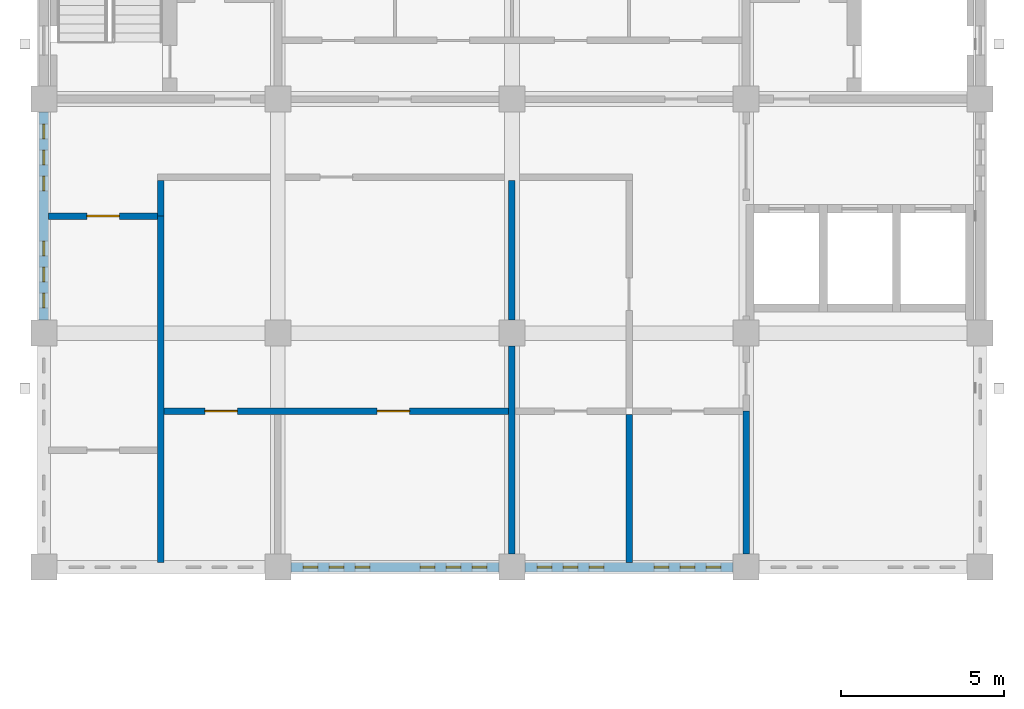
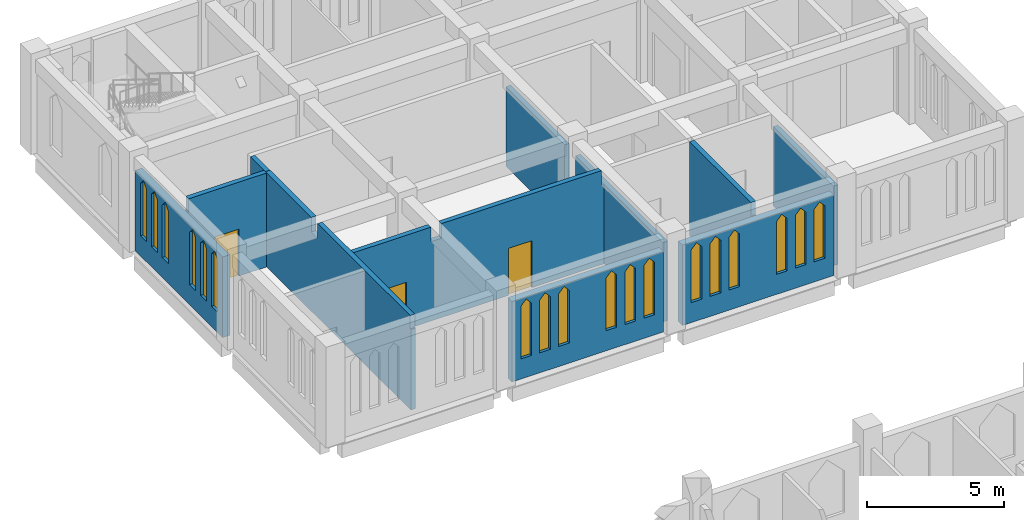
# One storey, part 6 of 13: 18 windows, 11 walls, 3 doors, 21 openings.
"""IFC4 building model written with IfcOpenShell, lengths in metres."""

from ifc_helpers import new_model, si_unit, direction, frame, frame_2d, origin, place, context, subcontext, project, spatial, polyline, rectangle, outline, extrude, material, layer, layer_set, type_object, element, fill, save


model = new_model("IFC4")

# Units and contexts
model_context = context("Model", 3, precision=1e-05, world=origin(), true_north=direction((0.0, 1.0)))
body_context = subcontext(model_context, "Body", "Model", "MODEL_VIEW")
ifc_project = project(units=[si_unit("LENGTHUNIT", "METRE"), si_unit("AREAUNIT", "SQUARE_METRE"), si_unit("VOLUMEUNIT", "CUBIC_METRE"), si_unit("PLANEANGLEUNIT", "RADIAN"), si_unit("MASSUNIT", "GRAM", prefix="KILO")], contexts=[model_context])

# Site, building, storey
site_placement = place(None, origin())
site = spatial("IfcSite", under=ifc_project, at=site_placement, CompositionType="ELEMENT")
building_placement = place(site_placement, origin())
building = spatial("IfcBuilding", under=site, at=building_placement, Name="Silangan Lancet Faculty of Sciences", CompositionType="ELEMENT")
storey_placement = place(building_placement, frame((0.0, 0.0, 49.800048828125)))
storey = spatial("IfcBuildingStorey", under=building, at=storey_placement, Name="L10", CompositionType="ELEMENT", Elevation=49.800048828125)

# Wall, openings, windows
ifc_material_1 = material(Name="Concrete C40/50", Category="concrete")
ifc_layer_1 = layer(ifc_material_1, 0.300048828125)
ifc_layer_set_1 = layer_set([ifc_layer_1], Name="Concrete C40/50")
wall_type_1 = type_object("IfcWallType", Name="EW7 Rendered attic wall", PredefinedType="STANDARD", material=ifc_layer_set_1)
wall_1_placement = place(storey_placement, frame((0.0, 43.60009765625, 0.0), z_axis=(0.0, 0.0, 1.0), x_axis=(0.0, 1.0, 0.0)))
wall_1 = element("IfcWall", 1, at=wall_1_placement, inside=storey, type_object=wall_type_1, Name="EW-L10-W-NT-01", PredefinedType="STANDARD", context=body_context, shape_type="SweptSolid", body=[
    extrude(rectangle(XDim=6.39990234375, YDim=0.300048828125, at=frame_2d((3.199951171875, 0.0))), origin(), (0.0, 0.0, 1.0), 3.599853515625),
])
opening_1_placement = place(wall_1_placement, frame((0.375, 0.0, 0.89990234375)))
opening_1 = element("IfcOpeningElement", 2, at=opening_1_placement, cuts=wall_1, Name="Opening W24", PredefinedType="OPENING", context=body_context, shape_type="SweptSolid", body=[
    extrude(outline(polyline([(0.0, 0.0), (0.449951171875, 0.0), (0.449951171875, 2.35009765625), (0.22509765625, 2.60009765625), (0.0, 2.35009765625), (0.0, 0.0)])), frame((0.0, 0.159912109375, 0.0), z_axis=(0.0, -1.0, 0.0), x_axis=(1.0, 0.0, 0.0)), (0.0, 0.0, 1.0), 0.320068359375),
])
opening_2_placement = place(wall_1_placement, frame((1.175048828125, 0.0, 0.89990234375)))
opening_2 = element("IfcOpeningElement", 3, at=opening_2_placement, cuts=wall_1, Name="Opening W24", PredefinedType="OPENING", context=body_context, shape_type="SweptSolid", body=[
    extrude(outline(polyline([(0.0, 0.0), (0.449951171875, 0.0), (0.449951171875, 2.35009765625), (0.22509765625, 2.60009765625), (0.0, 2.35009765625), (0.0, 0.0)])), frame((0.0, 0.159912109375, 0.0), z_axis=(0.0, -1.0, 0.0), x_axis=(1.0, 0.0, 0.0)), (0.0, 0.0, 1.0), 0.320068359375),
])
opening_3_placement = place(wall_1_placement, frame((1.97509765625, 0.0, 0.89990234375)))
opening_3 = element("IfcOpeningElement", 4, at=opening_3_placement, cuts=wall_1, Name="Opening W24", PredefinedType="OPENING", context=body_context, shape_type="SweptSolid", body=[
    extrude(outline(polyline([(0.0, 0.0), (0.449951171875, 0.0), (0.449951171875, 2.35009765625), (0.22509765625, 2.60009765625), (0.0, 2.35009765625), (0.0, 0.0)])), frame((0.0, 0.159912109375, 0.0), z_axis=(0.0, -1.0, 0.0), x_axis=(1.0, 0.0, 0.0)), (0.0, 0.0, 1.0), 0.320068359375),
])
opening_4_placement = place(wall_1_placement, frame((3.97509765625, 0.0, 0.89990234375)))
opening_4 = element("IfcOpeningElement", 5, at=opening_4_placement, cuts=wall_1, Name="Opening W24", PredefinedType="OPENING", context=body_context, shape_type="SweptSolid", body=[
    extrude(outline(polyline([(0.0, 0.0), (0.449951171875, 0.0), (0.449951171875, 2.35009765625), (0.22509765625, 2.60009765625), (0.0, 2.35009765625), (0.0, 0.0)])), frame((0.0, 0.159912109375, 0.0), z_axis=(0.0, -1.0, 0.0), x_axis=(1.0, 0.0, 0.0)), (0.0, 0.0, 1.0), 0.320068359375),
])
opening_5_placement = place(wall_1_placement, frame((4.77490234375, 0.0, 0.89990234375)))
opening_5 = element("IfcOpeningElement", 6, at=opening_5_placement, cuts=wall_1, Name="Opening W24", PredefinedType="OPENING", context=body_context, shape_type="SweptSolid", body=[
    extrude(outline(polyline([(0.0, 0.0), (0.449951171875, 0.0), (0.449951171875, 2.35009765625), (0.22509765625, 2.60009765625), (0.0, 2.35009765625), (0.0, 0.0)])), frame((0.0, 0.159912109375, 0.0), z_axis=(0.0, -1.0, 0.0), x_axis=(1.0, 0.0, 0.0)), (0.0, 0.0, 1.0), 0.320068359375),
])
opening_6_placement = place(wall_1_placement, frame((5.574951171875, 0.0, 0.89990234375)))
opening_6 = element("IfcOpeningElement", 7, at=opening_6_placement, cuts=wall_1, Name="Opening W24", PredefinedType="OPENING", context=body_context, shape_type="SweptSolid", body=[
    extrude(outline(polyline([(0.0, 0.0), (0.449951171875, 0.0), (0.449951171875, 2.35009765625), (0.22509765625, 2.60009765625), (0.0, 2.35009765625), (0.0, 0.0)])), frame((0.0, 0.159912109375, 0.0), z_axis=(0.0, -1.0, 0.0), x_axis=(1.0, 0.0, 0.0)), (0.0, 0.0, 1.0), 0.320068359375),
])
ifc_material_2 = material(Name="Aluminium frame, laminated double glazing", Category="aluminium")
window_type = type_object("IfcWindowType", Name="W24 Lancet window 450 x 2600", PartitioningType="SINGLE_PANEL", PredefinedType="WINDOW", material=ifc_material_2)
window_1_placement = place(opening_1_placement, origin())
window_1 = element("IfcWindow", 8, at=window_1_placement, inside=storey, type_object=window_type, Name="WIN-L10-W-NT-01a1", OverallHeight=2.60009765625, OverallWidth=0.449951171875, PartitioningType="SINGLE_PANEL", PredefinedType="WINDOW", context=body_context, shape_type="SweptSolid", body=[
    extrude(outline(polyline([(0.0, 0.0), (0.449951171875, 0.0), (0.449951171875, 2.35009765625), (0.22509765625, 2.60009765625), (0.0, 2.35009765625), (0.0, 0.0)])), frame((0.0, 0.030029296875, 0.0), z_axis=(0.0, -1.0, 0.0), x_axis=(1.0, 0.0, 0.0)), (0.0, 0.0, 1.0), 0.06005859375),
])
fill(opening_1, window_1)
window_2_placement = place(opening_2_placement, origin())
window_2 = element("IfcWindow", 9, at=window_2_placement, inside=storey, type_object=window_type, Name="WIN-L10-W-NT-01a2", OverallHeight=2.60009765625, OverallWidth=0.449951171875, PartitioningType="SINGLE_PANEL", PredefinedType="WINDOW", context=body_context, shape_type="SweptSolid", body=[
    extrude(outline(polyline([(0.0, 0.0), (0.449951171875, 0.0), (0.449951171875, 2.35009765625), (0.22509765625, 2.60009765625), (0.0, 2.35009765625), (0.0, 0.0)])), frame((0.0, 0.030029296875, 0.0), z_axis=(0.0, -1.0, 0.0), x_axis=(1.0, 0.0, 0.0)), (0.0, 0.0, 1.0), 0.06005859375),
])
fill(opening_2, window_2)
window_3_placement = place(opening_3_placement, origin())
window_3 = element("IfcWindow", 10, at=window_3_placement, inside=storey, type_object=window_type, Name="WIN-L10-W-NT-01a3", OverallHeight=2.60009765625, OverallWidth=0.449951171875, PartitioningType="SINGLE_PANEL", PredefinedType="WINDOW", context=body_context, shape_type="SweptSolid", body=[
    extrude(outline(polyline([(0.0, 0.0), (0.449951171875, 0.0), (0.449951171875, 2.35009765625), (0.22509765625, 2.60009765625), (0.0, 2.35009765625), (0.0, 0.0)])), frame((0.0, 0.030029296875, 0.0), z_axis=(0.0, -1.0, 0.0), x_axis=(1.0, 0.0, 0.0)), (0.0, 0.0, 1.0), 0.06005859375),
])
fill(opening_3, window_3)
window_4_placement = place(opening_4_placement, origin())
window_4 = element("IfcWindow", 11, at=window_4_placement, inside=storey, type_object=window_type, Name="WIN-L10-W-NT-01b1", OverallHeight=2.60009765625, OverallWidth=0.449951171875, PartitioningType="SINGLE_PANEL", PredefinedType="WINDOW", context=body_context, shape_type="SweptSolid", body=[
    extrude(outline(polyline([(0.0, 0.0), (0.449951171875, 0.0), (0.449951171875, 2.35009765625), (0.22509765625, 2.60009765625), (0.0, 2.35009765625), (0.0, 0.0)])), frame((0.0, 0.030029296875, 0.0), z_axis=(0.0, -1.0, 0.0), x_axis=(1.0, 0.0, 0.0)), (0.0, 0.0, 1.0), 0.06005859375),
])
fill(opening_4, window_4)
window_5_placement = place(opening_5_placement, origin())
window_5 = element("IfcWindow", 12, at=window_5_placement, inside=storey, type_object=window_type, Name="WIN-L10-W-NT-01b2", OverallHeight=2.60009765625, OverallWidth=0.449951171875, PartitioningType="SINGLE_PANEL", PredefinedType="WINDOW", context=body_context, shape_type="SweptSolid", body=[
    extrude(outline(polyline([(0.0, 0.0), (0.449951171875, 0.0), (0.449951171875, 2.35009765625), (0.22509765625, 2.60009765625), (0.0, 2.35009765625), (0.0, 0.0)])), frame((0.0, 0.030029296875, 0.0), z_axis=(0.0, -1.0, 0.0), x_axis=(1.0, 0.0, 0.0)), (0.0, 0.0, 1.0), 0.06005859375),
])
fill(opening_5, window_5)
window_6_placement = place(opening_6_placement, origin())
window_6 = element("IfcWindow", 13, at=window_6_placement, inside=storey, type_object=window_type, Name="WIN-L10-W-NT-01b3", OverallHeight=2.60009765625, OverallWidth=0.449951171875, PartitioningType="SINGLE_PANEL", PredefinedType="WINDOW", context=body_context, shape_type="SweptSolid", body=[
    extrude(outline(polyline([(0.0, 0.0), (0.449951171875, 0.0), (0.449951171875, 2.35009765625), (0.22509765625, 2.60009765625), (0.0, 2.35009765625), (0.0, 0.0)])), frame((0.0, 0.030029296875, 0.0), z_axis=(0.0, -1.0, 0.0), x_axis=(1.0, 0.0, 0.0)), (0.0, 0.0, 1.0), 0.06005859375),
])
fill(opening_6, window_6)

wall_2_placement = place(storey_placement, frame((7.60009765625, 36.0, 0.0), z_axis=(0.0, 0.0, 1.0), x_axis=(1.0, 0.0, 0.0)))
wall_2 = element("IfcWall", 14, at=wall_2_placement, inside=storey, type_object=wall_type_1, Name="EW-L10-S-NT-01", PredefinedType="STANDARD", context=body_context, shape_type="SweptSolid", body=[
    extrude(rectangle(XDim=6.39990234375, YDim=0.300048828125, at=frame_2d((3.199951171875, 0.0))), origin(), (0.0, 0.0, 1.0), 3.599853515625),
])
opening_7_placement = place(wall_2_placement, frame((0.375, 0.0, 0.89990234375)))
opening_7 = element("IfcOpeningElement", 15, at=opening_7_placement, cuts=wall_2, Name="Opening W24", PredefinedType="OPENING", context=body_context, shape_type="SweptSolid", body=[
    extrude(outline(polyline([(0.0, 0.0), (0.449951171875, 0.0), (0.449951171875, 2.35009765625), (0.22509765625, 2.60009765625), (0.0, 2.35009765625), (0.0, 0.0)])), frame((0.0, 0.159912109375, 0.0), z_axis=(0.0, -1.0, 0.0), x_axis=(1.0, 0.0, 0.0)), (0.0, 0.0, 1.0), 0.320068359375),
])
opening_8_placement = place(wall_2_placement, frame((1.175048828125, 0.0, 0.89990234375)))
opening_8 = element("IfcOpeningElement", 16, at=opening_8_placement, cuts=wall_2, Name="Opening W24", PredefinedType="OPENING", context=body_context, shape_type="SweptSolid", body=[
    extrude(outline(polyline([(0.0, 0.0), (0.449951171875, 0.0), (0.449951171875, 2.35009765625), (0.22509765625, 2.60009765625), (0.0, 2.35009765625), (0.0, 0.0)])), frame((0.0, 0.159912109375, 0.0), z_axis=(0.0, -1.0, 0.0), x_axis=(1.0, 0.0, 0.0)), (0.0, 0.0, 1.0), 0.320068359375),
])
opening_9_placement = place(wall_2_placement, frame((1.97509765625, 0.0, 0.89990234375)))
opening_9 = element("IfcOpeningElement", 17, at=opening_9_placement, cuts=wall_2, Name="Opening W24", PredefinedType="OPENING", context=body_context, shape_type="SweptSolid", body=[
    extrude(outline(polyline([(0.0, 0.0), (0.449951171875, 0.0), (0.449951171875, 2.35009765625), (0.22509765625, 2.60009765625), (0.0, 2.35009765625), (0.0, 0.0)])), frame((0.0, 0.159912109375, 0.0), z_axis=(0.0, -1.0, 0.0), x_axis=(1.0, 0.0, 0.0)), (0.0, 0.0, 1.0), 0.320068359375),
])
opening_10_placement = place(wall_2_placement, frame((3.97509765625, 0.0, 0.89990234375)))
opening_10 = element("IfcOpeningElement", 18, at=opening_10_placement, cuts=wall_2, Name="Opening W24", PredefinedType="OPENING", context=body_context, shape_type="SweptSolid", body=[
    extrude(outline(polyline([(0.0, 0.0), (0.449951171875, 0.0), (0.449951171875, 2.35009765625), (0.22509765625, 2.60009765625), (0.0, 2.35009765625), (0.0, 0.0)])), frame((0.0, 0.159912109375, 0.0), z_axis=(0.0, -1.0, 0.0), x_axis=(1.0, 0.0, 0.0)), (0.0, 0.0, 1.0), 0.320068359375),
])
opening_11_placement = place(wall_2_placement, frame((4.77490234375, 0.0, 0.89990234375)))
opening_11 = element("IfcOpeningElement", 19, at=opening_11_placement, cuts=wall_2, Name="Opening W24", PredefinedType="OPENING", context=body_context, shape_type="SweptSolid", body=[
    extrude(outline(polyline([(0.0, 0.0), (0.449951171875, 0.0), (0.449951171875, 2.35009765625), (0.22509765625, 2.60009765625), (0.0, 2.35009765625), (0.0, 0.0)])), frame((0.0, 0.159912109375, 0.0), z_axis=(0.0, -1.0, 0.0), x_axis=(1.0, 0.0, 0.0)), (0.0, 0.0, 1.0), 0.320068359375),
])
opening_12_placement = place(wall_2_placement, frame((5.574951171875, 0.0, 0.89990234375)))
opening_12 = element("IfcOpeningElement", 20, at=opening_12_placement, cuts=wall_2, Name="Opening W24", PredefinedType="OPENING", context=body_context, shape_type="SweptSolid", body=[
    extrude(outline(polyline([(0.0, 0.0), (0.449951171875, 0.0), (0.449951171875, 2.35009765625), (0.22509765625, 2.60009765625), (0.0, 2.35009765625), (0.0, 0.0)])), frame((0.0, 0.159912109375, 0.0), z_axis=(0.0, -1.0, 0.0), x_axis=(1.0, 0.0, 0.0)), (0.0, 0.0, 1.0), 0.320068359375),
])
window_7_placement = place(opening_7_placement, origin())
window_7 = element("IfcWindow", 21, at=window_7_placement, inside=storey, type_object=window_type, Name="WIN-L10-S-NT-01a1", OverallHeight=2.60009765625, OverallWidth=0.449951171875, PartitioningType="SINGLE_PANEL", PredefinedType="WINDOW", context=body_context, shape_type="SweptSolid", body=[
    extrude(outline(polyline([(0.0, 0.0), (0.449951171875, 0.0), (0.449951171875, 2.35009765625), (0.22509765625, 2.60009765625), (0.0, 2.35009765625), (0.0, 0.0)])), frame((0.0, 0.030029296875, 0.0), z_axis=(0.0, -1.0, 0.0), x_axis=(1.0, 0.0, 0.0)), (0.0, 0.0, 1.0), 0.06005859375),
])
fill(opening_7, window_7)
window_8_placement = place(opening_8_placement, origin())
window_8 = element("IfcWindow", 22, at=window_8_placement, inside=storey, type_object=window_type, Name="WIN-L10-S-NT-01a2", OverallHeight=2.60009765625, OverallWidth=0.449951171875, PartitioningType="SINGLE_PANEL", PredefinedType="WINDOW", context=body_context, shape_type="SweptSolid", body=[
    extrude(outline(polyline([(0.0, 0.0), (0.449951171875, 0.0), (0.449951171875, 2.35009765625), (0.22509765625, 2.60009765625), (0.0, 2.35009765625), (0.0, 0.0)])), frame((0.0, 0.030029296875, 0.0), z_axis=(0.0, -1.0, 0.0), x_axis=(1.0, 0.0, 0.0)), (0.0, 0.0, 1.0), 0.06005859375),
])
fill(opening_8, window_8)
window_9_placement = place(opening_9_placement, origin())
window_9 = element("IfcWindow", 23, at=window_9_placement, inside=storey, type_object=window_type, Name="WIN-L10-S-NT-01a3", OverallHeight=2.60009765625, OverallWidth=0.449951171875, PartitioningType="SINGLE_PANEL", PredefinedType="WINDOW", context=body_context, shape_type="SweptSolid", body=[
    extrude(outline(polyline([(0.0, 0.0), (0.449951171875, 0.0), (0.449951171875, 2.35009765625), (0.22509765625, 2.60009765625), (0.0, 2.35009765625), (0.0, 0.0)])), frame((0.0, 0.030029296875, 0.0), z_axis=(0.0, -1.0, 0.0), x_axis=(1.0, 0.0, 0.0)), (0.0, 0.0, 1.0), 0.06005859375),
])
fill(opening_9, window_9)
window_10_placement = place(opening_10_placement, origin())
window_10 = element("IfcWindow", 24, at=window_10_placement, inside=storey, type_object=window_type, Name="WIN-L10-S-NT-01b1", OverallHeight=2.60009765625, OverallWidth=0.449951171875, PartitioningType="SINGLE_PANEL", PredefinedType="WINDOW", context=body_context, shape_type="SweptSolid", body=[
    extrude(outline(polyline([(0.0, 0.0), (0.449951171875, 0.0), (0.449951171875, 2.35009765625), (0.22509765625, 2.60009765625), (0.0, 2.35009765625), (0.0, 0.0)])), frame((0.0, 0.030029296875, 0.0), z_axis=(0.0, -1.0, 0.0), x_axis=(1.0, 0.0, 0.0)), (0.0, 0.0, 1.0), 0.06005859375),
])
fill(opening_10, window_10)
window_11_placement = place(opening_11_placement, origin())
window_11 = element("IfcWindow", 25, at=window_11_placement, inside=storey, type_object=window_type, Name="WIN-L10-S-NT-01b2", OverallHeight=2.60009765625, OverallWidth=0.449951171875, PartitioningType="SINGLE_PANEL", PredefinedType="WINDOW", context=body_context, shape_type="SweptSolid", body=[
    extrude(outline(polyline([(0.0, 0.0), (0.449951171875, 0.0), (0.449951171875, 2.35009765625), (0.22509765625, 2.60009765625), (0.0, 2.35009765625), (0.0, 0.0)])), frame((0.0, 0.030029296875, 0.0), z_axis=(0.0, -1.0, 0.0), x_axis=(1.0, 0.0, 0.0)), (0.0, 0.0, 1.0), 0.06005859375),
])
fill(opening_11, window_11)
window_12_placement = place(opening_12_placement, origin())
window_12 = element("IfcWindow", 26, at=window_12_placement, inside=storey, type_object=window_type, Name="WIN-L10-S-NT-01b3", OverallHeight=2.60009765625, OverallWidth=0.449951171875, PartitioningType="SINGLE_PANEL", PredefinedType="WINDOW", context=body_context, shape_type="SweptSolid", body=[
    extrude(outline(polyline([(0.0, 0.0), (0.449951171875, 0.0), (0.449951171875, 2.35009765625), (0.22509765625, 2.60009765625), (0.0, 2.35009765625), (0.0, 0.0)])), frame((0.0, 0.030029296875, 0.0), z_axis=(0.0, -1.0, 0.0), x_axis=(1.0, 0.0, 0.0)), (0.0, 0.0, 1.0), 0.06005859375),
])
fill(opening_12, window_12)

wall_3_placement = place(storey_placement, frame((14.800048828125, 36.0, 0.0), z_axis=(0.0, 0.0, 1.0), x_axis=(1.0, 0.0, 0.0)))
wall_3 = element("IfcWall", 27, at=wall_3_placement, inside=storey, type_object=wall_type_1, Name="EW-L10-S-NT-02", PredefinedType="STANDARD", context=body_context, shape_type="SweptSolid", body=[
    extrude(rectangle(XDim=6.39990234375, YDim=0.300048828125, at=frame_2d((3.199951171875, 0.0))), origin(), (0.0, 0.0, 1.0), 3.599853515625),
])
opening_13_placement = place(wall_3_placement, frame((0.375, 0.0, 0.89990234375)))
opening_13 = element("IfcOpeningElement", 28, at=opening_13_placement, cuts=wall_3, Name="Opening W24", PredefinedType="OPENING", context=body_context, shape_type="SweptSolid", body=[
    extrude(outline(polyline([(0.0, 0.0), (0.449951171875, 0.0), (0.449951171875, 2.35009765625), (0.22509765625, 2.60009765625), (0.0, 2.35009765625), (0.0, 0.0)])), frame((0.0, 0.159912109375, 0.0), z_axis=(0.0, -1.0, 0.0), x_axis=(1.0, 0.0, 0.0)), (0.0, 0.0, 1.0), 0.320068359375),
])
opening_14_placement = place(wall_3_placement, frame((1.175048828125, 0.0, 0.89990234375)))
opening_14 = element("IfcOpeningElement", 29, at=opening_14_placement, cuts=wall_3, Name="Opening W24", PredefinedType="OPENING", context=body_context, shape_type="SweptSolid", body=[
    extrude(outline(polyline([(0.0, 0.0), (0.449951171875, 0.0), (0.449951171875, 2.35009765625), (0.22509765625, 2.60009765625), (0.0, 2.35009765625), (0.0, 0.0)])), frame((0.0, 0.159912109375, 0.0), z_axis=(0.0, -1.0, 0.0), x_axis=(1.0, 0.0, 0.0)), (0.0, 0.0, 1.0), 0.320068359375),
])
opening_15_placement = place(wall_3_placement, frame((1.97509765625, 0.0, 0.89990234375)))
opening_15 = element("IfcOpeningElement", 30, at=opening_15_placement, cuts=wall_3, Name="Opening W24", PredefinedType="OPENING", context=body_context, shape_type="SweptSolid", body=[
    extrude(outline(polyline([(0.0, 0.0), (0.449951171875, 0.0), (0.449951171875, 2.35009765625), (0.22509765625, 2.60009765625), (0.0, 2.35009765625), (0.0, 0.0)])), frame((0.0, 0.159912109375, 0.0), z_axis=(0.0, -1.0, 0.0), x_axis=(1.0, 0.0, 0.0)), (0.0, 0.0, 1.0), 0.320068359375),
])
opening_16_placement = place(wall_3_placement, frame((3.97509765625, 0.0, 0.89990234375)))
opening_16 = element("IfcOpeningElement", 31, at=opening_16_placement, cuts=wall_3, Name="Opening W24", PredefinedType="OPENING", context=body_context, shape_type="SweptSolid", body=[
    extrude(outline(polyline([(0.0, 0.0), (0.449951171875, 0.0), (0.449951171875, 2.35009765625), (0.22509765625, 2.60009765625), (0.0, 2.35009765625), (0.0, 0.0)])), frame((0.0, 0.159912109375, 0.0), z_axis=(0.0, -1.0, 0.0), x_axis=(1.0, 0.0, 0.0)), (0.0, 0.0, 1.0), 0.320068359375),
])
opening_17_placement = place(wall_3_placement, frame((4.77490234375, 0.0, 0.89990234375)))
opening_17 = element("IfcOpeningElement", 32, at=opening_17_placement, cuts=wall_3, Name="Opening W24", PredefinedType="OPENING", context=body_context, shape_type="SweptSolid", body=[
    extrude(outline(polyline([(0.0, 0.0), (0.449951171875, 0.0), (0.449951171875, 2.35009765625), (0.22509765625, 2.60009765625), (0.0, 2.35009765625), (0.0, 0.0)])), frame((0.0, 0.159912109375, 0.0), z_axis=(0.0, -1.0, 0.0), x_axis=(1.0, 0.0, 0.0)), (0.0, 0.0, 1.0), 0.320068359375),
])
opening_18_placement = place(wall_3_placement, frame((5.574951171875, 0.0, 0.89990234375)))
opening_18 = element("IfcOpeningElement", 33, at=opening_18_placement, cuts=wall_3, Name="Opening W24", PredefinedType="OPENING", context=body_context, shape_type="SweptSolid", body=[
    extrude(outline(polyline([(0.0, 0.0), (0.449951171875, 0.0), (0.449951171875, 2.35009765625), (0.22509765625, 2.60009765625), (0.0, 2.35009765625), (0.0, 0.0)])), frame((0.0, 0.159912109375, 0.0), z_axis=(0.0, -1.0, 0.0), x_axis=(1.0, 0.0, 0.0)), (0.0, 0.0, 1.0), 0.320068359375),
])
window_13_placement = place(opening_13_placement, origin())
window_13 = element("IfcWindow", 34, at=window_13_placement, inside=storey, type_object=window_type, Name="WIN-L10-S-NT-02a1", OverallHeight=2.60009765625, OverallWidth=0.449951171875, PartitioningType="SINGLE_PANEL", PredefinedType="WINDOW", context=body_context, shape_type="SweptSolid", body=[
    extrude(outline(polyline([(0.0, 0.0), (0.449951171875, 0.0), (0.449951171875, 2.35009765625), (0.22509765625, 2.60009765625), (0.0, 2.35009765625), (0.0, 0.0)])), frame((0.0, 0.030029296875, 0.0), z_axis=(0.0, -1.0, 0.0), x_axis=(1.0, 0.0, 0.0)), (0.0, 0.0, 1.0), 0.06005859375),
])
fill(opening_13, window_13)
window_14_placement = place(opening_14_placement, origin())
window_14 = element("IfcWindow", 35, at=window_14_placement, inside=storey, type_object=window_type, Name="WIN-L10-S-NT-02a2", OverallHeight=2.60009765625, OverallWidth=0.449951171875, PartitioningType="SINGLE_PANEL", PredefinedType="WINDOW", context=body_context, shape_type="SweptSolid", body=[
    extrude(outline(polyline([(0.0, 0.0), (0.449951171875, 0.0), (0.449951171875, 2.35009765625), (0.22509765625, 2.60009765625), (0.0, 2.35009765625), (0.0, 0.0)])), frame((0.0, 0.030029296875, 0.0), z_axis=(0.0, -1.0, 0.0), x_axis=(1.0, 0.0, 0.0)), (0.0, 0.0, 1.0), 0.06005859375),
])
fill(opening_14, window_14)
window_15_placement = place(opening_15_placement, origin())
window_15 = element("IfcWindow", 36, at=window_15_placement, inside=storey, type_object=window_type, Name="WIN-L10-S-NT-02a3", OverallHeight=2.60009765625, OverallWidth=0.449951171875, PartitioningType="SINGLE_PANEL", PredefinedType="WINDOW", context=body_context, shape_type="SweptSolid", body=[
    extrude(outline(polyline([(0.0, 0.0), (0.449951171875, 0.0), (0.449951171875, 2.35009765625), (0.22509765625, 2.60009765625), (0.0, 2.35009765625), (0.0, 0.0)])), frame((0.0, 0.030029296875, 0.0), z_axis=(0.0, -1.0, 0.0), x_axis=(1.0, 0.0, 0.0)), (0.0, 0.0, 1.0), 0.06005859375),
])
fill(opening_15, window_15)
window_16_placement = place(opening_16_placement, origin())
window_16 = element("IfcWindow", 37, at=window_16_placement, inside=storey, type_object=window_type, Name="WIN-L10-S-NT-02b1", OverallHeight=2.60009765625, OverallWidth=0.449951171875, PartitioningType="SINGLE_PANEL", PredefinedType="WINDOW", context=body_context, shape_type="SweptSolid", body=[
    extrude(outline(polyline([(0.0, 0.0), (0.449951171875, 0.0), (0.449951171875, 2.35009765625), (0.22509765625, 2.60009765625), (0.0, 2.35009765625), (0.0, 0.0)])), frame((0.0, 0.030029296875, 0.0), z_axis=(0.0, -1.0, 0.0), x_axis=(1.0, 0.0, 0.0)), (0.0, 0.0, 1.0), 0.06005859375),
])
fill(opening_16, window_16)
window_17_placement = place(opening_17_placement, origin())
window_17 = element("IfcWindow", 38, at=window_17_placement, inside=storey, type_object=window_type, Name="WIN-L10-S-NT-02b2", OverallHeight=2.60009765625, OverallWidth=0.449951171875, PartitioningType="SINGLE_PANEL", PredefinedType="WINDOW", context=body_context, shape_type="SweptSolid", body=[
    extrude(outline(polyline([(0.0, 0.0), (0.449951171875, 0.0), (0.449951171875, 2.35009765625), (0.22509765625, 2.60009765625), (0.0, 2.35009765625), (0.0, 0.0)])), frame((0.0, 0.030029296875, 0.0), z_axis=(0.0, -1.0, 0.0), x_axis=(1.0, 0.0, 0.0)), (0.0, 0.0, 1.0), 0.06005859375),
])
fill(opening_17, window_17)
window_18_placement = place(opening_18_placement, origin())
window_18 = element("IfcWindow", 39, at=window_18_placement, inside=storey, type_object=window_type, Name="WIN-L10-S-NT-02b3", OverallHeight=2.60009765625, OverallWidth=0.449951171875, PartitioningType="SINGLE_PANEL", PredefinedType="WINDOW", context=body_context, shape_type="SweptSolid", body=[
    extrude(outline(polyline([(0.0, 0.0), (0.449951171875, 0.0), (0.449951171875, 2.35009765625), (0.22509765625, 2.60009765625), (0.0, 2.35009765625), (0.0, 0.0)])), frame((0.0, 0.030029296875, 0.0), z_axis=(0.0, -1.0, 0.0), x_axis=(1.0, 0.0, 0.0)), (0.0, 0.0, 1.0), 0.06005859375),
])
fill(opening_18, window_18)

# Wall, opening, door
ifc_material_3 = material(Name="Hollow block masonry fm 7 MPa", Category="masonry")
ifc_layer_2 = layer(ifc_material_3, 0.199951171875)
ifc_layer_set_2 = layer_set([ifc_layer_2], Name="Hollow block masonry fm 7 MPa")
wall_type_2 = type_object("IfcWallType", Name="Interior wall PW1 Corridor wall CHB 200", PredefinedType="PARTITIONING", material=ifc_layer_set_2)
wall_4_placement = place(storey_placement, frame((0.14990234375, 46.800048828125, 0.0), z_axis=(0.0, 0.0, 1.0), x_axis=(1.0, 0.0, 0.0)))
wall_4 = element("IfcWall", 40, at=wall_4_placement, inside=storey, type_object=wall_type_2, Name="Corridor wall CHB 200", PredefinedType="PARTITIONING", context=body_context, shape_type="SweptSolid", body=[
    extrude(outline(polyline([(0.0, 0.0), (3.35009765625, 0.0), (3.35009765625, 4.199951171875), (0.050048828125, 4.199951171875), (0.050048828125, 3.599853515625), (0.0, 3.599853515625), (0.0, 0.0)])), frame((0.0, 0.10009765625, 0.0), z_axis=(0.0, -1.0, 0.0), x_axis=(1.0, 0.0, 0.0)), (0.0, 0.0, 1.0), 0.199951171875),
])
opening_19_placement = place(wall_4_placement, frame((1.175048828125, 0.0, 0.0)))
opening_19 = element("IfcOpeningElement", 41, at=opening_19_placement, cuts=wall_4, Name="Opening L10-026", PredefinedType="OPENING", context=body_context, shape_type="SweptSolid", body=[
    extrude(rectangle(XDim=1.0, YDim=2.10009765625, at=frame_2d((0.5, 1.050048828125))), frame((0.0, 0.10986328125, 0.0), z_axis=(0.0, -1.0, 0.0), x_axis=(1.0, 0.0, 0.0)), (0.0, 0.0, 1.0), 0.219970703125),
])
ifc_material_4 = material(Name="Steel fire door set", Category="steel")
door_type = type_object("IfcDoorType", Name="Door D1 Single leaf fire door 1000 x 2100", OperationType="SINGLE_SWING_LEFT", PredefinedType="DOOR", material=ifc_material_4)
door_1_placement = place(opening_19_placement, frame((1.0, 0.0, 0.0), z_axis=(0.0, 0.0, 1.0), x_axis=(-1.0, 0.0, 0.0)))
door_1 = element("IfcDoor", 42, at=door_1_placement, inside=storey, type_object=door_type, Name="Single leaf fire door 1000 x 2100", OperationType="SINGLE_SWING_LEFT", OverallHeight=2.10009765625, OverallWidth=1.0, PredefinedType="DOOR", context=body_context, shape_type="SweptSolid", body=[
    extrude(rectangle(XDim=1.0, YDim=2.10009765625, at=frame_2d((0.5, 1.050048828125))), frame((0.0, 0.025146484375, 0.0), z_axis=(0.0, -1.0, 0.0), x_axis=(1.0, 0.0, 0.0)), (0.0, 0.0, 1.0), 0.050048828125),
])
fill(opening_19, door_1)

# Wall
wall_5_placement = place(storey_placement, frame((3.60009765625, 46.800048828125, 0.0), z_axis=(0.0, 0.0, 1.0), x_axis=(0.0, 1.0, 0.0)))
element("IfcWall", 43, at=wall_5_placement, inside=storey, type_object=wall_type_2, Name="Corridor wall CHB 200", PredefinedType="PARTITIONING", context=body_context, shape_type="SweptSolid", body=[
    extrude(rectangle(XDim=1.099853515625, YDim=0.199951171875, at=frame_2d((0.5498046875, 0.0))), origin(), (0.0, 0.0, 1.0), 4.199951171875),
])

# Wall, openings, doors
ifc_material_5 = material(Name="Hollow block masonry fm 7 MPa", Category="masonry")
ifc_layer_3 = layer(ifc_material_5, 0.199951171875)
ifc_layer_set_3 = layer_set([ifc_layer_3], Name="Hollow block masonry fm 7 MPa")
wall_type_3 = type_object("IfcWallType", Name="Interior wall PW4 Laboratory separation CHB 200", PredefinedType="PARTITIONING", material=ifc_layer_set_3)
wall_6_placement = place(storey_placement, frame((3.699951171875, 40.800048828125, 0.0), z_axis=(0.0, 0.0, 1.0), x_axis=(1.0, 0.0, 0.0)))
wall_6 = element("IfcWall", 44, at=wall_6_placement, inside=storey, type_object=wall_type_3, Name="Laboratory separation CHB 200", PredefinedType="PARTITIONING", context=body_context, shape_type="SweptSolid", body=[
    extrude(outline(polyline([(0.0, 0.0), (10.60009765625, 0.0), (10.60009765625, 3.550048828125), (10.47509765625, 3.550048828125), (10.47509765625, 4.199951171875), (3.72509765625, 4.199951171875), (3.72509765625, 3.550048828125), (3.27490234375, 3.550048828125), (3.27490234375, 4.199951171875), (0.0, 4.199951171875), (0.0, 0.0)])), frame((0.0, 0.10009765625, 0.0), z_axis=(0.0, -1.0, 0.0), x_axis=(1.0, 0.0, 0.0)), (0.0, 0.0, 1.0), 0.199951171875),
])
opening_20_placement = place(wall_6_placement, frame((1.25, 0.0, 0.0)))
opening_20 = element("IfcOpeningElement", 45, at=opening_20_placement, cuts=wall_6, Name="Opening L10-029", PredefinedType="OPENING", context=body_context, shape_type="SweptSolid", body=[
    extrude(rectangle(XDim=1.0, YDim=2.10009765625, at=frame_2d((0.5, 1.050048828125))), frame((0.0, 0.10986328125, 0.0), z_axis=(0.0, -1.0, 0.0), x_axis=(1.0, 0.0, 0.0)), (0.0, 0.0, 1.0), 0.219970703125),
])
opening_21_placement = place(wall_6_placement, frame((6.550048828125, 0.0, 0.0)))
opening_21 = element("IfcOpeningElement", 46, at=opening_21_placement, cuts=wall_6, Name="Opening L10-030", PredefinedType="OPENING", context=body_context, shape_type="SweptSolid", body=[
    extrude(rectangle(XDim=1.0, YDim=2.10009765625, at=frame_2d((0.5, 1.050048828125))), frame((0.0, 0.10986328125, 0.0), z_axis=(0.0, -1.0, 0.0), x_axis=(1.0, 0.0, 0.0)), (0.0, 0.0, 1.0), 0.219970703125),
])
door_2_placement = place(opening_20_placement, frame((1.0, 0.0, 0.0), z_axis=(0.0, 0.0, 1.0), x_axis=(-1.0, 0.0, 0.0)))
door_2 = element("IfcDoor", 47, at=door_2_placement, inside=storey, type_object=door_type, Name="Single leaf fire door 1000 x 2100", OperationType="SINGLE_SWING_RIGHT", OverallHeight=2.10009765625, OverallWidth=1.0, PredefinedType="DOOR", context=body_context, shape_type="SweptSolid", body=[
    extrude(rectangle(XDim=1.0, YDim=2.10009765625, at=frame_2d((0.5, 1.050048828125))), frame((0.0, 0.025146484375, 0.0), z_axis=(0.0, -1.0, 0.0), x_axis=(1.0, 0.0, 0.0)), (0.0, 0.0, 1.0), 0.050048828125),
])
fill(opening_20, door_2)
door_3_placement = place(opening_21_placement, frame((1.0, 0.0, 0.0), z_axis=(0.0, 0.0, 1.0), x_axis=(-1.0, 0.0, 0.0)))
door_3 = element("IfcDoor", 48, at=door_3_placement, inside=storey, type_object=door_type, Name="Single leaf fire door 1000 x 2100", OperationType="SINGLE_SWING_LEFT", OverallHeight=2.10009765625, OverallWidth=1.0, PredefinedType="DOOR", context=body_context, shape_type="SweptSolid", body=[
    extrude(rectangle(XDim=1.0, YDim=2.10009765625, at=frame_2d((0.5, 1.050048828125))), frame((0.0, 0.025146484375, 0.0), z_axis=(0.0, -1.0, 0.0), x_axis=(1.0, 0.0, 0.0)), (0.0, 0.0, 1.0), 0.050048828125),
])
fill(opening_21, door_3)

# Walls
wall_7_placement = place(storey_placement, frame((3.60009765625, 36.14990234375, 0.0), z_axis=(0.0, 0.0, 1.0), x_axis=(0.0, 1.0, 0.0)))
element("IfcWall", 49, at=wall_7_placement, inside=storey, type_object=wall_type_3, Name="Laboratory separation CHB 200", PredefinedType="PARTITIONING", context=body_context, shape_type="SweptSolid", body=[
    extrude(outline(polyline([(0.0, 0.0), (10.650146484375, 0.0), (10.650146484375, 4.199951171875), (7.275146484375, 4.199951171875), (7.275146484375, 3.550048828125), (6.8251953125, 3.550048828125), (6.8251953125, 4.199951171875), (0.050048828125, 4.199951171875), (0.050048828125, 3.599853515625), (0.0, 3.599853515625), (0.0, 0.0)])), frame((0.0, 0.10009765625, 0.0), z_axis=(0.0, -1.0, 0.0), x_axis=(1.0, 0.0, 0.0)), (0.0, 0.0, 1.0), 0.199951171875),
])
wall_8_placement = place(storey_placement, frame((14.39990234375, 36.39990234375, 0.0), z_axis=(0.0, 0.0, 1.0), x_axis=(0.0, 1.0, 0.0)))
element("IfcWall", 50, at=wall_8_placement, inside=storey, type_object=wall_type_3, Name="Laboratory separation CHB 200", PredefinedType="PARTITIONING", context=body_context, shape_type="SweptSolid", body=[
    extrude(rectangle(XDim=6.400146484375, YDim=0.199951171875, at=frame_2d((3.2001953125, 0.0))), origin(), (0.0, 0.0, 1.0), 3.550048828125),
])
wall_9_placement = place(storey_placement, frame((14.39990234375, 43.60009765625, 0.0), z_axis=(0.0, 0.0, 1.0), x_axis=(0.0, 1.0, 0.0)))
element("IfcWall", 51, at=wall_9_placement, inside=storey, type_object=wall_type_3, Name="Laboratory separation CHB 200", PredefinedType="PARTITIONING", context=body_context, shape_type="SweptSolid", body=[
    extrude(rectangle(XDim=4.2998046875, YDim=0.199951171875, at=frame_2d((2.14990234375, 0.0))), origin(), (0.0, 0.0, 1.0), 3.550048828125),
])
wall_10_placement = place(storey_placement, frame((18.0, 36.14990234375, 0.0), z_axis=(0.0, 0.0, 1.0), x_axis=(0.0, 1.0, 0.0)))
element("IfcWall", 52, at=wall_10_placement, inside=storey, type_object=wall_type_3, Name="Laboratory separation CHB 200", PredefinedType="PARTITIONING", context=body_context, shape_type="SweptSolid", body=[
    extrude(outline(polyline([(0.0, 0.0), (4.550048828125, 0.0), (4.550048828125, 4.199951171875), (0.050048828125, 4.199951171875), (0.050048828125, 3.599853515625), (0.0, 3.599853515625), (0.0, 0.0)])), frame((0.0, 0.10009765625, 0.0), z_axis=(0.0, -1.0, 0.0), x_axis=(1.0, 0.0, 0.0)), (0.0, 0.0, 1.0), 0.199951171875),
])
wall_11_placement = place(storey_placement, frame((21.60009765625, 36.39990234375, 0.0), z_axis=(0.0, 0.0, 1.0), x_axis=(0.0, 1.0, 0.0)))
element("IfcWall", 53, at=wall_11_placement, inside=storey, type_object=wall_type_3, Name="Laboratory separation CHB 200", PredefinedType="PARTITIONING", context=body_context, shape_type="SweptSolid", body=[
    extrude(rectangle(XDim=4.400146484375, YDim=0.199951171875, at=frame_2d((2.2001953125, 0.0))), origin(), (0.0, 0.0, 1.0), 3.550048828125),
])

save(model, "model.ifc")
